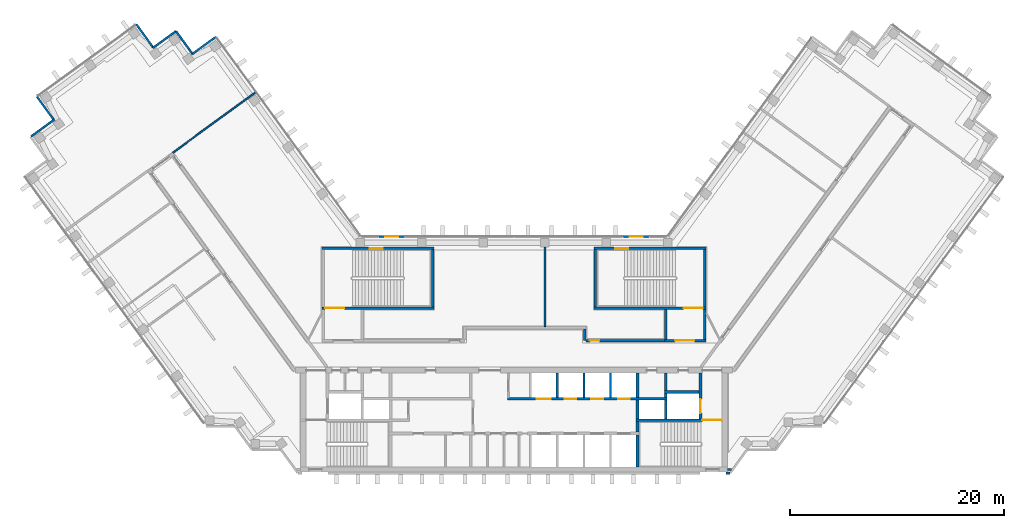
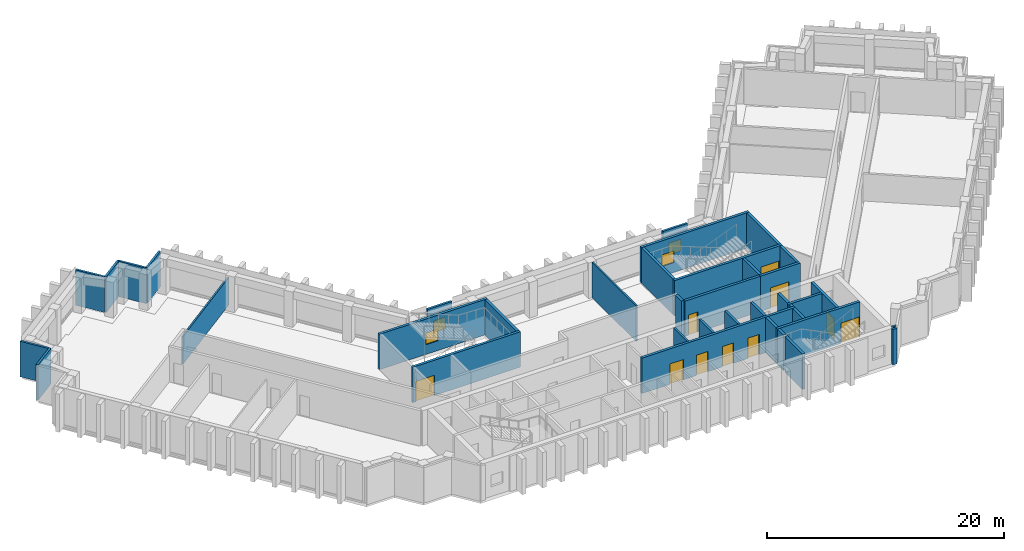
# One storey, part 6 of 10: 38 walls, 10 doors, 4 windows, 14 openings.
"""IFC4 building model written with IfcOpenShell, lengths in metres."""

from ifc_helpers import new_model, si_unit, direction, frame, frame_2d, origin, place, context, subcontext, project, spatial, rectangle, extrude, material, layer, layer_set, type_object, element, fill, save


model = new_model("IFC4")

# Units and contexts
model_context = context("Model", 3, precision=1e-05, world=origin(), true_north=direction((0.0, 1.0)))
body_context = subcontext(model_context, "Body", "Model", "MODEL_VIEW")
ifc_project = project(units=[si_unit("LENGTHUNIT", "METRE"), si_unit("AREAUNIT", "SQUARE_METRE"), si_unit("VOLUMEUNIT", "CUBIC_METRE"), si_unit("PLANEANGLEUNIT", "RADIAN"), si_unit("MASSUNIT", "GRAM", prefix="KILO")], contexts=[model_context])

# Site, building, storey
site_placement = place(None, origin())
site = spatial("IfcSite", under=ifc_project, at=site_placement, CompositionType="ELEMENT")
building_placement = place(site_placement, origin())
building = spatial("IfcBuilding", under=site, at=building_placement, Name="Quipu Civic Tower", CompositionType="ELEMENT")
storey_placement = place(building_placement, frame((0.0, 0.0, 168.0)))
storey = spatial("IfcBuildingStorey", under=building, at=storey_placement, Name="L39", CompositionType="ELEMENT", Elevation=168.0)

# Walls
ifc_material_1 = material(Name="Double gypsum plasterboard with mineral wool")
ifc_layer_1 = layer(ifc_material_1, 0.14990234375)
ifc_layer_set_1 = layer_set([ifc_layer_1], Name="Double gypsum plasterboard with mineral wool")
wall_type_1 = type_object("IfcWallType", Name="Acoustic partition 150 plasterboard", PredefinedType="PARTITIONING", material=ifc_layer_set_1)
wall_1_placement = place(storey_placement, frame((-31.97998046875, 18.922119140625, 0.0), z_axis=(0.0, 0.0, 1.0), x_axis=(0.807588329082, 0.589746632657, 0.0)))
element("IfcWall", 1, at=wall_1_placement, inside=storey, type_object=wall_type_1, Name="Partition P01", PredefinedType="PARTITIONING", context=body_context, shape_type="SweptSolid", body=[
    extrude(rectangle(XDim=9.56982421875, YDim=0.14990234375, at=frame_2d((4.784912109375, 0.0))), origin(), (0.0, 0.0, 1.0), 2.85009765625),
])
wall_2_placement = place(storey_placement, frame((2.89892578125, 10.094970703125, 0.0), z_axis=(0.0, 0.0, 1.0), x_axis=(0.0, -1.0, 0.0)))
element("IfcWall", 2, at=wall_2_placement, inside=storey, type_object=wall_type_1, Name="Partition P03", PredefinedType="PARTITIONING", context=body_context, shape_type="SweptSolid", body=[
    extrude(rectangle(XDim=7.445068359375, YDim=0.14990234375, at=frame_2d((3.72265625, 0.0))), origin(), (0.0, 0.0, 1.0), 3.64990234375),
])
ifc_material_2 = material(Name="Concrete C70/85", Category="concrete")
ifc_layer_2 = layer(ifc_material_2, 0.25)
ifc_layer_set_2 = layer_set([ifc_layer_2], Name="Concrete C70/85")
wall_type_2 = type_object("IfcWallType", Name="Core wall 250", PredefinedType="SHEAR", material=ifc_layer_set_2)
wall_3_placement = place(storey_placement, frame((11.574951171875, -10.5, 0.0), z_axis=(0.0, 0.0, 1.0), x_axis=(0.0, 1.0, 0.0)))
element("IfcWall", 3, at=wall_3_placement, inside=storey, type_object=wall_type_2, Name="Core wall", PredefinedType="SHEAR", context=body_context, shape_type="SweptSolid", body=[
    extrude(rectangle(XDim=3.0, YDim=0.25, at=frame_2d((1.5, 0.0))), origin(), (0.0, 0.0, 1.0), 3.64990234375),
])
wall_4_placement = place(storey_placement, frame((11.574951171875, -7.25, 0.0), z_axis=(0.0, 0.0, 1.0), x_axis=(0.0, 1.0, 0.0)))
element("IfcWall", 4, at=wall_4_placement, inside=storey, type_object=wall_type_2, Name="Core wall", PredefinedType="SHEAR", context=body_context, shape_type="SweptSolid", body=[
    extrude(rectangle(XDim=1.0, YDim=0.25, at=frame_2d((0.5, 0.0))), origin(), (0.0, 0.0, 1.0), 3.64990234375),
])

# Wall, opening, door
wall_5_placement = place(storey_placement, frame((19.5, -6.125, 0.0), z_axis=(0.0, 0.0, 1.0), x_axis=(-1.0, 0.0, 0.0)))
wall_5 = element("IfcWall", 5, at=wall_5_placement, inside=storey, type_object=wall_type_2, Name="Core wall", PredefinedType="SHEAR", context=body_context, shape_type="SweptSolid", body=[
    extrude(rectangle(XDim=8.050048828125, YDim=0.25, at=frame_2d((4.02490234375, 0.0))), origin(), (0.0, 0.0, 1.0), 3.64990234375),
])
opening_1_placement = place(wall_5_placement, frame((0.050048828125, 0.0, 0.0)))
opening_1 = element("IfcOpeningElement", 6, at=opening_1_placement, cuts=wall_5, Name="Opening CD-08", PredefinedType="OPENING", context=body_context, shape_type="SweptSolid", body=[
    extrude(rectangle(XDim=1.800048828125, YDim=2.10009765625, at=frame_2d((0.89990234375, 1.050048828125))), frame((0.0, 0.135009765625, 0.0), z_axis=(0.0, -1.0, 0.0), x_axis=(1.0, 0.0, 0.0)), (0.0, 0.0, 1.0), 0.27001953125),
])
ifc_material_3 = material(Name="Fire rated steel door", Category="steel")
door_type_1 = type_object("IfcDoorType", Name="Fire door FD90 double 1800 x 2100", OperationType="NOTDEFINED", PredefinedType="DOOR", material=ifc_material_3)
door_1_placement = place(opening_1_placement, origin())
door_1 = element("IfcDoor", 7, at=door_1_placement, inside=storey, type_object=door_type_1, Name="Door", OperationType="DOUBLE_DOOR_SINGLE_SWING", OverallHeight=2.10009765625, OverallWidth=1.800048828125, PredefinedType="DOOR", context=body_context, shape_type="SweptSolid", body=[
    extrude(rectangle(XDim=1.800048828125, YDim=2.10009765625, at=frame_2d((0.89990234375, 1.050048828125))), frame((0.0, 0.02490234375, 0.0), z_axis=(0.0, -1.0, 0.0), x_axis=(1.0, 0.0, 0.0)), (0.0, 0.0, 1.0), 0.050048828125),
])
fill(opening_1, door_1)

# Walls
for number, where, z_axis, x_axis, name in (
    (8, (11.574951171875, -6.0, 0.0), (0.0, 0.0, 1.0), (0.0, 1.0, 0.0), "Core wall"),
    (9, (14.22509765625, -6.0, 0.0), (0.0, 0.0, 1.0), (0.0, 1.0, 0.0), "Core wall"),
):
    element("IfcWall", number, at=place(storey_placement, frame(where, z_axis=z_axis, x_axis=x_axis)), inside=storey, type_object=wall_type_2, Name=name, PredefinedType="SHEAR", context=body_context, shape_type="SweptSolid", body=[
        extrude(rectangle(XDim=1.75, YDim=0.25, at=frame_2d((0.875, 0.0))), origin(), (0.0, 0.0, 1.0), 3.64990234375),
    ])

# Wall, opening, door
wall_6_placement = place(storey_placement, frame((17.47509765625, -6.0, 0.0), z_axis=(0.0, 0.0, 1.0), x_axis=(0.0, 1.0, 0.0)))
wall_6 = element("IfcWall", 10, at=wall_6_placement, inside=storey, type_object=wall_type_2, Name="Core wall", PredefinedType="SHEAR", context=body_context, shape_type="SweptSolid", body=[
    extrude(rectangle(XDim=4.300048828125, YDim=0.25, at=frame_2d((2.14990234375, 0.0))), origin(), (0.0, 0.0, 1.0), 3.64990234375),
])
opening_2_placement = place(wall_6_placement, frame((0.550048828125, 0.0, 0.0)))
opening_2 = element("IfcOpeningElement", 11, at=opening_2_placement, cuts=wall_6, Name="Opening LD-FF2", PredefinedType="OPENING", context=body_context, shape_type="SweptSolid", body=[
    extrude(rectangle(XDim=1.300048828125, YDim=2.10009765625, at=frame_2d((0.64990234375, 1.050048828125))), frame((0.0, 0.135009765625, 0.0), z_axis=(0.0, -1.0, 0.0), x_axis=(1.0, 0.0, 0.0)), (0.0, 0.0, 1.0), 0.27001953125),
])
ifc_material_4 = material(Name="Stainless steel", Category="steel")
door_type_2 = type_object("IfcDoorType", Name="Lift landing door 1300 x 2100", OperationType="DOUBLE_DOOR_SLIDING", PredefinedType="DOOR", material=ifc_material_4)
door_2_placement = place(opening_2_placement, origin())
door_2 = element("IfcDoor", 12, at=door_2_placement, inside=storey, type_object=door_type_2, Name="Landing door FF2", OperationType="DOUBLE_DOOR_SLIDING", OverallHeight=2.10009765625, OverallWidth=1.300048828125, PredefinedType="DOOR", context=body_context, shape_type="SweptSolid", body=[
    extrude(rectangle(XDim=1.300048828125, YDim=2.10009765625, at=frame_2d((0.64990234375, 1.050048828125))), frame((0.0, 0.02490234375, 0.0), z_axis=(0.0, -1.0, 0.0), x_axis=(1.0, 0.0, 0.0)), (0.0, 0.0, 1.0), 0.050048828125),
])
fill(opening_2, door_2)

# Wall, openings, doors
wall_7_placement = place(storey_placement, frame((-0.60009765625, -4.125, 0.0), z_axis=(0.0, 0.0, 1.0), x_axis=(1.0, 0.0, 0.0)))
wall_7 = element("IfcWall", 13, at=wall_7_placement, inside=storey, type_object=wall_type_2, Name="Core wall", PredefinedType="SHEAR", context=body_context, shape_type="SweptSolid", body=[
    extrude(rectangle(XDim=14.9501953125, YDim=0.25, at=frame_2d((7.47509765625, 0.0))), origin(), (0.0, 0.0, 1.0), 3.64990234375),
])
opening_3_placement = place(wall_7_placement, frame((2.75, 0.0, 0.0)))
opening_3 = element("IfcOpeningElement", 14, at=opening_3_placement, cuts=wall_7, Name="Opening LD-FF3", PredefinedType="OPENING", context=body_context, shape_type="SweptSolid", body=[
    extrude(rectangle(XDim=1.300048828125, YDim=2.10009765625, at=frame_2d((0.64990234375, 1.050048828125))), frame((0.0, 0.135009765625, 0.0), z_axis=(0.0, -1.0, 0.0), x_axis=(1.0, 0.0, 0.0)), (0.0, 0.0, 1.0), 0.27001953125),
])
opening_4_placement = place(wall_7_placement, frame((5.35009765625, 0.0, 0.0)))
opening_4 = element("IfcOpeningElement", 15, at=opening_4_placement, cuts=wall_7, Name="Opening LD-ML5", PredefinedType="OPENING", context=body_context, shape_type="SweptSolid", body=[
    extrude(rectangle(XDim=1.10009765625, YDim=2.10009765625, at=frame_2d((0.550048828125, 1.050048828125))), frame((0.0, 0.135009765625, 0.0), z_axis=(0.0, -1.0, 0.0), x_axis=(1.0, 0.0, 0.0)), (0.0, 0.0, 1.0), 0.27001953125),
])
opening_5_placement = place(wall_7_placement, frame((7.85009765625, 0.0, 0.0)))
opening_5 = element("IfcOpeningElement", 16, at=opening_5_placement, cuts=wall_7, Name="Opening LD-ML6", PredefinedType="OPENING", context=body_context, shape_type="SweptSolid", body=[
    extrude(rectangle(XDim=1.10009765625, YDim=2.10009765625, at=frame_2d((0.550048828125, 1.050048828125))), frame((0.0, 0.135009765625, 0.0), z_axis=(0.0, -1.0, 0.0), x_axis=(1.0, 0.0, 0.0)), (0.0, 0.0, 1.0), 0.27001953125),
])
opening_6_placement = place(wall_7_placement, frame((10.35009765625, 0.0, 0.0)))
opening_6 = element("IfcOpeningElement", 17, at=opening_6_placement, cuts=wall_7, Name="Opening LD-ML7", PredefinedType="OPENING", context=body_context, shape_type="SweptSolid", body=[
    extrude(rectangle(XDim=1.10009765625, YDim=2.10009765625, at=frame_2d((0.550048828125, 1.050048828125))), frame((0.0, 0.135009765625, 0.0), z_axis=(0.0, -1.0, 0.0), x_axis=(1.0, 0.0, 0.0)), (0.0, 0.0, 1.0), 0.27001953125),
])
ifc_material_5 = material(Name="Stainless steel", Category="steel")
door_type_3 = type_object("IfcDoorType", Name="Lift landing door 1100 x 2100", OperationType="DOUBLE_DOOR_SLIDING", PredefinedType="DOOR", material=ifc_material_5)
door_3_placement = place(opening_4_placement, origin())
door_3 = element("IfcDoor", 18, at=door_3_placement, inside=storey, type_object=door_type_3, Name="Landing door ML5", OperationType="DOUBLE_DOOR_SLIDING", OverallHeight=2.10009765625, OverallWidth=1.10009765625, PredefinedType="DOOR", context=body_context, shape_type="SweptSolid", body=[
    extrude(rectangle(XDim=1.10009765625, YDim=2.10009765625, at=frame_2d((0.550048828125, 1.050048828125))), frame((0.0, 0.02490234375, 0.0), z_axis=(0.0, -1.0, 0.0), x_axis=(1.0, 0.0, 0.0)), (0.0, 0.0, 1.0), 0.050048828125),
])
fill(opening_4, door_3)
door_4_placement = place(opening_5_placement, origin())
door_4 = element("IfcDoor", 19, at=door_4_placement, inside=storey, type_object=door_type_3, Name="Landing door ML6", OperationType="DOUBLE_DOOR_SLIDING", OverallHeight=2.10009765625, OverallWidth=1.10009765625, PredefinedType="DOOR", context=body_context, shape_type="SweptSolid", body=[
    extrude(rectangle(XDim=1.10009765625, YDim=2.10009765625, at=frame_2d((0.550048828125, 1.050048828125))), frame((0.0, 0.02490234375, 0.0), z_axis=(0.0, -1.0, 0.0), x_axis=(1.0, 0.0, 0.0)), (0.0, 0.0, 1.0), 0.050048828125),
])
fill(opening_5, door_4)
door_5_placement = place(opening_6_placement, origin())
door_5 = element("IfcDoor", 20, at=door_5_placement, inside=storey, type_object=door_type_3, Name="Landing door ML7", OperationType="DOUBLE_DOOR_SLIDING", OverallHeight=2.10009765625, OverallWidth=1.10009765625, PredefinedType="DOOR", context=body_context, shape_type="SweptSolid", body=[
    extrude(rectangle(XDim=1.10009765625, YDim=2.10009765625, at=frame_2d((0.550048828125, 1.050048828125))), frame((0.0, 0.02490234375, 0.0), z_axis=(0.0, -1.0, 0.0), x_axis=(1.0, 0.0, 0.0)), (0.0, 0.0, 1.0), 0.050048828125),
])
fill(opening_6, door_5)
door_6_placement = place(opening_3_placement, origin())
door_6 = element("IfcDoor", 21, at=door_6_placement, inside=storey, type_object=door_type_2, Name="Landing door FF3", OperationType="DOUBLE_DOOR_SLIDING", OverallHeight=2.10009765625, OverallWidth=1.300048828125, PredefinedType="DOOR", context=body_context, shape_type="SweptSolid", body=[
    extrude(rectangle(XDim=1.300048828125, YDim=2.10009765625, at=frame_2d((0.64990234375, 1.050048828125))), frame((0.0, 0.02490234375, 0.0), z_axis=(0.0, -1.0, 0.0), x_axis=(1.0, 0.0, 0.0)), (0.0, 0.0, 1.0), 0.050048828125),
])
fill(opening_3, door_6)

# Walls
wall_8_placement = place(storey_placement, frame((11.574951171875, -4.0, 0.0), z_axis=(0.0, 0.0, 1.0), x_axis=(0.0, 1.0, 0.0)))
element("IfcWall", 22, at=wall_8_placement, inside=storey, type_object=wall_type_2, Name="Core wall", PredefinedType="SHEAR", context=body_context, shape_type="SweptSolid", body=[
    extrude(rectangle(XDim=2.300048828125, YDim=0.25, at=frame_2d((1.14990234375, 0.0))), origin(), (0.0, 0.0, 1.0), 3.64990234375),
])
wall_9_placement = place(storey_placement, frame((14.22509765625, -4.0, 0.0), z_axis=(0.0, 0.0, 1.0), x_axis=(0.0, 1.0, 0.0)))
element("IfcWall", 23, at=wall_9_placement, inside=storey, type_object=wall_type_2, Name="Core wall", PredefinedType="SHEAR", context=body_context, shape_type="SweptSolid", body=[
    extrude(rectangle(XDim=0.39990234375, YDim=0.25, at=frame_2d((0.199951171875, 0.0))), origin(), (0.0, 0.0, 1.0), 3.64990234375),
])
wall_10_placement = place(storey_placement, frame((14.10009765625, -3.47509765625, 0.0), z_axis=(0.0, 0.0, 1.0), x_axis=(1.0, 0.0, 0.0)))
element("IfcWall", 24, at=wall_10_placement, inside=storey, type_object=wall_type_2, Name="Core wall", PredefinedType="SHEAR", context=body_context, shape_type="SweptSolid", body=[
    extrude(rectangle(XDim=3.25, YDim=0.25, at=frame_2d((1.625, 0.0))), origin(), (0.0, 0.0, 1.0), 3.64990234375),
])
wall_11_placement = place(storey_placement, frame((14.22509765625, -3.35009765625, 0.0), z_axis=(0.0, 0.0, 1.0), x_axis=(0.0, 1.0, 0.0)))
element("IfcWall", 25, at=wall_11_placement, inside=storey, type_object=wall_type_2, Name="Core wall", PredefinedType="SHEAR", context=body_context, shape_type="SweptSolid", body=[
    extrude(rectangle(XDim=1.650146484375, YDim=0.25, at=frame_2d((0.8251953125, 0.0))), origin(), (0.0, 0.0, 1.0), 3.64990234375),
])

# Wall, opening, door
wall_12_placement = place(storey_placement, frame((-18.0, 4.375, 0.0), z_axis=(0.0, 0.0, 1.0), x_axis=(1.0, 0.0, 0.0)))
wall_12 = element("IfcWall", 26, at=wall_12_placement, inside=storey, type_object=wall_type_2, Name="Core wall", PredefinedType="SHEAR", context=body_context, shape_type="SweptSolid", body=[
    extrude(rectangle(XDim=10.5, YDim=0.25, at=frame_2d((5.25, 0.0))), origin(), (0.0, 0.0, 1.0), 3.64990234375),
])
opening_7_placement = place(wall_12_placement, frame((0.300048828125, 0.0, 0.0)))
opening_7 = element("IfcOpeningElement", 27, at=opening_7_placement, cuts=wall_12, Name="Opening CD-22", PredefinedType="OPENING", context=body_context, shape_type="SweptSolid", body=[
    extrude(rectangle(XDim=1.800048828125, YDim=2.10009765625, at=frame_2d((0.89990234375, 1.050048828125))), frame((0.0, 0.135009765625, 0.0), z_axis=(0.0, -1.0, 0.0), x_axis=(1.0, 0.0, 0.0)), (0.0, 0.0, 1.0), 0.27001953125),
])
door_7_placement = place(opening_7_placement, origin())
door_7 = element("IfcDoor", 28, at=door_7_placement, inside=storey, type_object=door_type_1, Name="Door", OperationType="DOUBLE_DOOR_SINGLE_SWING", OverallHeight=2.10009765625, OverallWidth=1.800048828125, PredefinedType="DOOR", context=body_context, shape_type="SweptSolid", body=[
    extrude(rectangle(XDim=1.800048828125, YDim=2.10009765625, at=frame_2d((0.89990234375, 1.050048828125))), frame((0.0, 0.02490234375, 0.0), z_axis=(0.0, -1.0, 0.0), x_axis=(1.0, 0.0, 0.0)), (0.0, 0.0, 1.0), 0.050048828125),
])
fill(opening_7, door_7)

# Wall
wall_13_placement = place(storey_placement, frame((-7.625, 4.5, 0.0), z_axis=(0.0, 0.0, 1.0), x_axis=(0.0, 1.0, 0.0)))
element("IfcWall", 29, at=wall_13_placement, inside=storey, type_object=wall_type_2, Name="Core wall", PredefinedType="SHEAR", context=body_context, shape_type="SweptSolid", body=[
    extrude(rectangle(XDim=5.35009765625, YDim=0.25, at=frame_2d((2.675048828125, 0.0))), origin(), (0.0, 0.0, 1.0), 3.64990234375),
])

# Wall, opening, window
wall_14_placement = place(storey_placement, frame((-18.0, 9.97509765625, 0.0), z_axis=(0.0, 0.0, 1.0), x_axis=(1.0, 0.0, 0.0)))
wall_14 = element("IfcWall", 30, at=wall_14_placement, inside=storey, type_object=wall_type_2, Name="Core wall", PredefinedType="SHEAR", context=body_context, shape_type="SweptSolid", body=[
    extrude(rectangle(XDim=10.5, YDim=0.25, at=frame_2d((5.25, 0.0))), origin(), (0.0, 0.0, 1.0), 3.64990234375),
])
opening_8_placement = place(wall_14_placement, frame((4.5, 0.0, 1.0)))
opening_8 = element("IfcOpeningElement", 31, at=opening_8_placement, cuts=wall_14, Name="Opening SV-3", PredefinedType="OPENING", context=body_context, shape_type="SweptSolid", body=[
    extrude(rectangle(XDim=1.199951171875, YDim=1.199951171875, at=frame_2d((0.60009765625, 0.60009765625))), frame((0.0, 0.135009765625, 0.0), z_axis=(0.0, -1.0, 0.0), x_axis=(1.0, 0.0, 0.0)), (0.0, 0.0, 1.0), 0.27001953125),
])
ifc_material_6 = material(Name="Aluminium louvre", Category="aluminium")
window_type_1 = type_object("IfcWindowType", Name="Stair ventilation louvre 1200 x 1200", PartitioningType="SINGLE_PANEL", PredefinedType="WINDOW", material=ifc_material_6)
window_1_placement = place(opening_8_placement, origin())
window_1 = element("IfcWindow", 32, at=window_1_placement, inside=storey, type_object=window_type_1, Name="Stair ventilation opening", OverallHeight=1.199951171875, OverallWidth=1.199951171875, PartitioningType="SINGLE_PANEL", PredefinedType="WINDOW", context=body_context, shape_type="SweptSolid", body=[
    extrude(rectangle(XDim=1.199951171875, YDim=1.199951171875, at=frame_2d((0.60009765625, 0.60009765625))), frame((0.0, 0.030029296875, 0.0), z_axis=(0.0, -1.0, 0.0), x_axis=(1.0, 0.0, 0.0)), (0.0, 0.0, 1.0), 0.06005859375),
])
fill(opening_8, window_1)

# Wall, opening, door
wall_15_placement = place(storey_placement, frame((14.10009765625, 1.324951171875, 0.0), z_axis=(0.0, 0.0, 1.0), x_axis=(1.0, 0.0, 0.0)))
wall_15 = element("IfcWall", 33, at=wall_15_placement, inside=storey, type_object=wall_type_2, Name="Core wall", PredefinedType="SHEAR", context=body_context, shape_type="SweptSolid", body=[
    extrude(rectangle(XDim=3.89990234375, YDim=0.25, at=frame_2d((1.949951171875, 0.0))), origin(), (0.0, 0.0, 1.0), 3.64990234375),
])
opening_9_placement = place(wall_15_placement, frame((1.0, 0.0, 0.0)))
opening_9 = element("IfcOpeningElement", 34, at=opening_9_placement, cuts=wall_15, Name="Opening CD-23", PredefinedType="OPENING", context=body_context, shape_type="SweptSolid", body=[
    extrude(rectangle(XDim=1.800048828125, YDim=2.10009765625, at=frame_2d((0.89990234375, 1.050048828125))), frame((0.0, 0.135009765625, 0.0), z_axis=(0.0, -1.0, 0.0), x_axis=(1.0, 0.0, 0.0)), (0.0, 0.0, 1.0), 0.27001953125),
])
door_8_placement = place(opening_9_placement, origin())
door_8 = element("IfcDoor", 35, at=door_8_placement, inside=storey, type_object=door_type_1, Name="Lobby door", OperationType="DOUBLE_DOOR_SINGLE_SWING", OverallHeight=2.10009765625, OverallWidth=1.800048828125, PredefinedType="DOOR", context=body_context, shape_type="SweptSolid", body=[
    extrude(rectangle(XDim=1.800048828125, YDim=2.10009765625, at=frame_2d((0.89990234375, 1.050048828125))), frame((0.0, 0.02490234375, 0.0), z_axis=(0.0, -1.0, 0.0), x_axis=(1.0, 0.0, 0.0)), (0.0, 0.0, 1.0), 0.050048828125),
])
fill(opening_9, door_8)

# Walls
for number, where, z_axis, x_axis, name in (
    (36, (14.22509765625, 1.449951171875, 0.0), (0.0, 0.0, 1.0), (0.0, 1.0, 0.0), "Core wall"),
    (37, (17.875, 1.449951171875, 0.0), (0.0, 0.0, 1.0), (0.0, 1.0, 0.0), "Core wall"),
):
    element("IfcWall", number, at=place(storey_placement, frame(where, z_axis=z_axis, x_axis=x_axis)), inside=storey, type_object=wall_type_2, Name=name, PredefinedType="SHEAR", context=body_context, shape_type="SweptSolid", body=[
        extrude(rectangle(XDim=2.800048828125, YDim=0.25, at=frame_2d((1.39990234375, 0.0))), origin(), (0.0, 0.0, 1.0), 3.64990234375),
    ])

# Wall, opening, door
wall_16_placement = place(storey_placement, frame((7.5, 4.375, 0.0), z_axis=(0.0, 0.0, 1.0), x_axis=(1.0, 0.0, 0.0)))
wall_16 = element("IfcWall", 38, at=wall_16_placement, inside=storey, type_object=wall_type_2, Name="Core wall", PredefinedType="SHEAR", context=body_context, shape_type="SweptSolid", body=[
    extrude(rectangle(XDim=10.5, YDim=0.25, at=frame_2d((5.25, 0.0))), origin(), (0.0, 0.0, 1.0), 3.64990234375),
])
opening_10_placement = place(wall_16_placement, frame((8.39990234375, 0.0, 0.0)))
opening_10 = element("IfcOpeningElement", 39, at=opening_10_placement, cuts=wall_16, Name="Opening CD-24", PredefinedType="OPENING", context=body_context, shape_type="SweptSolid", body=[
    extrude(rectangle(XDim=1.800048828125, YDim=2.10009765625, at=frame_2d((0.89990234375, 1.050048828125))), frame((0.0, 0.135009765625, 0.0), z_axis=(0.0, -1.0, 0.0), x_axis=(1.0, 0.0, 0.0)), (0.0, 0.0, 1.0), 0.27001953125),
])
door_9_placement = place(opening_10_placement, origin())
door_9 = element("IfcDoor", 40, at=door_9_placement, inside=storey, type_object=door_type_1, Name="Door", OperationType="DOUBLE_DOOR_SINGLE_SWING", OverallHeight=2.10009765625, OverallWidth=1.800048828125, PredefinedType="DOOR", context=body_context, shape_type="SweptSolid", body=[
    extrude(rectangle(XDim=1.800048828125, YDim=2.10009765625, at=frame_2d((0.89990234375, 1.050048828125))), frame((0.0, 0.02490234375, 0.0), z_axis=(0.0, -1.0, 0.0), x_axis=(1.0, 0.0, 0.0)), (0.0, 0.0, 1.0), 0.050048828125),
])
fill(opening_10, door_9)

# Walls
for number, where, z_axis, x_axis, name in (
    (41, (7.625, 4.5, 0.0), (0.0, 0.0, 1.0), (0.0, 1.0, 0.0), "Core wall"),
    (42, (17.875, 4.5, 0.0), (0.0, 0.0, 1.0), (0.0, 1.0, 0.0), "Core wall"),
):
    element("IfcWall", number, at=place(storey_placement, frame(where, z_axis=z_axis, x_axis=x_axis)), inside=storey, type_object=wall_type_2, Name=name, PredefinedType="SHEAR", context=body_context, shape_type="SweptSolid", body=[
        extrude(rectangle(XDim=5.35009765625, YDim=0.25, at=frame_2d((2.675048828125, 0.0))), origin(), (0.0, 0.0, 1.0), 3.64990234375),
    ])

# Wall, opening, window
wall_17_placement = place(storey_placement, frame((7.5, 9.97509765625, 0.0), z_axis=(0.0, 0.0, 1.0), x_axis=(1.0, 0.0, 0.0)))
wall_17 = element("IfcWall", 43, at=wall_17_placement, inside=storey, type_object=wall_type_2, Name="Core wall", PredefinedType="SHEAR", context=body_context, shape_type="SweptSolid", body=[
    extrude(rectangle(XDim=10.5, YDim=0.25, at=frame_2d((5.25, 0.0))), origin(), (0.0, 0.0, 1.0), 3.64990234375),
])
opening_11_placement = place(wall_17_placement, frame((2.0, 0.0, 1.0)))
opening_11 = element("IfcOpeningElement", 44, at=opening_11_placement, cuts=wall_17, Name="Opening SV-4", PredefinedType="OPENING", context=body_context, shape_type="SweptSolid", body=[
    extrude(rectangle(XDim=1.199951171875, YDim=1.199951171875, at=frame_2d((0.60009765625, 0.60009765625))), frame((0.0, 0.135009765625, 0.0), z_axis=(0.0, -1.0, 0.0), x_axis=(1.0, 0.0, 0.0)), (0.0, 0.0, 1.0), 0.27001953125),
])
window_2_placement = place(opening_11_placement, origin())
window_2 = element("IfcWindow", 45, at=window_2_placement, inside=storey, type_object=window_type_1, Name="Stair ventilation opening", OverallHeight=1.199951171875, OverallWidth=1.199951171875, PartitioningType="SINGLE_PANEL", PredefinedType="WINDOW", context=body_context, shape_type="SweptSolid", body=[
    extrude(rectangle(XDim=1.199951171875, YDim=1.199951171875, at=frame_2d((0.60009765625, 0.60009765625))), frame((0.0, 0.030029296875, 0.0), z_axis=(0.0, -1.0, 0.0), x_axis=(1.0, 0.0, 0.0)), (0.0, 0.0, 1.0), 0.06005859375),
])
fill(opening_11, window_2)

# Wall
ifc_material_7 = material(Name="Concrete C50/60", Category="concrete")
ifc_layer_3 = layer(ifc_material_7, 0.25)
ifc_layer_set_3 = layer_set([ifc_layer_3], Name="Concrete C50/60")
wall_type_3 = type_object("IfcWallType", Name="Corridor wall 250 concrete", PredefinedType="SOLIDWALL", material=ifc_layer_set_3)
wall_18_placement = place(storey_placement, frame((6.625, 2.39990234375, 0.0), z_axis=(0.0, 0.0, 1.0), x_axis=(0.0, -1.0, 0.0)))
element("IfcWall", 46, at=wall_18_placement, inside=storey, type_object=wall_type_3, Name="Corridor wall C10", PredefinedType="SOLIDWALL", context=body_context, shape_type="SweptSolid", body=[
    extrude(rectangle(XDim=1.041259765625, YDim=0.25, at=frame_2d((0.5205078125, 0.0))), origin(), (0.0, 0.0, 1.0), 3.64990234375),
])

# Wall, opening, door
wall_19_placement = place(storey_placement, frame((6.753662109375, 1.324951171875, 0.0), z_axis=(0.0, 0.0, 1.0), x_axis=(1.0, 0.0, 0.0)))
wall_19 = element("IfcWall", 47, at=wall_19_placement, inside=storey, type_object=wall_type_3, Name="Corridor wall C11", PredefinedType="SOLIDWALL", context=body_context, shape_type="SweptSolid", body=[
    extrude(rectangle(XDim=7.33642578125, YDim=0.25, at=frame_2d((3.668212890625, 0.0))), origin(), (0.0, 0.0, 1.0), 3.64990234375),
])
opening_12_placement = place(wall_19_placement, frame((0.34619140625, 0.0, 0.0)))
opening_12 = element("IfcOpeningElement", 48, at=opening_12_placement, cuts=wall_19, Name="Opening D008", PredefinedType="OPENING", context=body_context, shape_type="SweptSolid", body=[
    extrude(rectangle(XDim=0.89990234375, YDim=2.10009765625, at=frame_2d((0.449951171875, 1.050048828125))), frame((0.0, 0.135009765625, 0.0), z_axis=(0.0, -1.0, 0.0), x_axis=(1.0, 0.0, 0.0)), (0.0, 0.0, 1.0), 0.27001953125),
])
ifc_material_8 = material(Name="Fire rated timber door set with metal frame", Category="wood")
door_type_4 = type_object("IfcDoorType", Name="Single door 900 x 2100 FD60", OperationType="NOTDEFINED", PredefinedType="DOOR", material=ifc_material_8)
door_10_placement = place(opening_12_placement, origin())
door_10 = element("IfcDoor", 49, at=door_10_placement, inside=storey, type_object=door_type_4, Name="Door D008", OperationType="SINGLE_SWING_LEFT", OverallHeight=2.10009765625, OverallWidth=0.89990234375, PredefinedType="DOOR", context=body_context, shape_type="SweptSolid", body=[
    extrude(rectangle(XDim=0.89990234375, YDim=2.10009765625, at=frame_2d((0.449951171875, 1.050048828125))), frame((0.0, 0.02490234375, 0.0), z_axis=(0.0, -1.0, 0.0), x_axis=(1.0, 0.0, 0.0)), (0.0, 0.0, 1.0), 0.050048828125),
])
fill(opening_12, door_10)

# Walls
ifc_material_9 = material(Name="Precast concrete C40/50", Category="concrete")
wall_type_4 = type_object("IfcWallType", Name="Precast cladding wall", PredefinedType="SOLIDWALL", material=ifc_material_9)
for number, where, z_axis, x_axis, name in (
    (50, (-43.060791015625, 22.04296875, 0.0), (0.0, 0.0, 1.0), (-0.809033161865, -0.587762999008, 0.0), "Precast cladding wall L39 P01"),
    (51, (-27.92138671875, 29.787109375, 0.0), (0.0, 0.0, 1.0), (-0.809033161865, -0.587762999008, 0.0), "Precast cladding wall L39 2"),
    (52, (-30.08349609375, 28.149169921875, 0.0), (0.0, 0.0, 1.0), (-0.587762999008, 0.809033161865, 0.0), "Precast cladding wall L39 3"),
    (53, (-31.653564453125, 30.330810546875, 0.0), (0.0, 0.0, 1.0), (-0.809033161865, -0.587762999008, 0.0), "Precast cladding wall L39 4"),
    (54, (-33.80078125, 28.785888671875, 0.0), (0.0, 0.0, 1.0), (-0.587762999008, 0.809033161865, 0.0), "Precast cladding wall L39 5"),
    (55, (-44.699462890625, 24.20458984375, 0.0), (0.0, 0.0, 1.0), (0.587762999008, -0.809033161865, 0.0), "Precast cladding wall L39 7"),
):
    element("IfcWall", number, at=place(storey_placement, frame(where, z_axis=z_axis, x_axis=x_axis)), inside=storey, type_object=wall_type_4, Name=name, PredefinedType="SOLIDWALL", context=body_context, shape_type="SweptSolid", body=[
        extrude(rectangle(XDim=2.699951171875, YDim=0.199951171875, at=frame_2d((1.35009765625, 0.0))), origin(), (0.0, 0.0, 1.0), 3.64990234375),
    ])
wall_20_placement = place(storey_placement, frame((19.85009765625, -11.087890625, 0.0), z_axis=(0.0, 0.0, 1.0), x_axis=(1.0, 0.0, 0.0)))
element("IfcWall", 56, at=wall_20_placement, inside=storey, type_object=wall_type_4, Name="Precast cladding wall L39 15", PredefinedType="SOLIDWALL", context=body_context, shape_type="SweptSolid", body=[
    extrude(rectangle(XDim=0.40576171875, YDim=0.199951171875, at=frame_2d((0.202880859375, 0.0))), origin(), (0.0, 0.0, 1.0), 3.64990234375),
])

# Wall, opening, window
wall_21_placement = place(storey_placement, frame((12.655029296875, 11.10009765625, 0.0), z_axis=(0.0, 0.0, 1.0), x_axis=(-1.0, 0.0, 0.0)))
wall_21 = element("IfcWall", 57, at=wall_21_placement, inside=storey, type_object=wall_type_4, Name="Vent surround SF-L39-2", PredefinedType="SOLIDWALL", context=body_context, shape_type="SweptSolid", body=[
    extrude(rectangle(XDim=2.3916015625, YDim=0.199951171875, at=frame_2d((1.19580078125, 0.0))), origin(), (0.0, 0.0, 1.0), 3.64990234375),
])
opening_13_placement = place(wall_21_placement, frame((0.595703125, 0.0, 1.0)))
opening_13 = element("IfcOpeningElement", 58, at=opening_13_placement, cuts=wall_21, Name="Opening SF-L39-2", PredefinedType="OPENING", context=body_context, shape_type="SweptSolid", body=[
    extrude(rectangle(XDim=1.199951171875, YDim=1.199951171875, at=frame_2d((0.60009765625, 0.60009765625))), frame((0.0, 0.10986328125, 0.0), z_axis=(0.0, -1.0, 0.0), x_axis=(1.0, 0.0, 0.0)), (0.0, 0.0, 1.0), 0.219970703125),
])
ifc_material_10 = material(Name="Anodised aluminium louvre", Category="aluminium")
window_type_2 = type_object("IfcWindowType", Name="Stair vent louvre window P3", PartitioningType="SINGLE_PANEL", PredefinedType="WINDOW", material=ifc_material_10)
window_3_placement = place(opening_13_placement, origin())
window_3 = element("IfcWindow", 59, at=window_3_placement, inside=storey, type_object=window_type_2, Name="Stair vent louvre SF-L39-2", OverallHeight=1.199951171875, OverallWidth=1.199951171875, PartitioningType="SINGLE_PANEL", PredefinedType="WINDOW", context=body_context, shape_type="SweptSolid", body=[
    extrude(rectangle(XDim=1.199951171875, YDim=1.199951171875, at=frame_2d((0.60009765625, 0.60009765625))), frame((0.0, 0.030029296875, 0.0), z_axis=(0.0, -1.0, 0.0), x_axis=(1.0, 0.0, 0.0)), (0.0, 0.0, 1.0), 0.06005859375),
])
fill(opening_13, window_3)

wall_22_placement = place(storey_placement, frame((-10.263427734375, 11.10009765625, 0.0), z_axis=(0.0, 0.0, 1.0), x_axis=(-1.0, 0.0, 0.0)))
wall_22 = element("IfcWall", 60, at=wall_22_placement, inside=storey, type_object=wall_type_4, Name="Vent surround SF-L39-1", PredefinedType="SOLIDWALL", context=body_context, shape_type="SweptSolid", body=[
    extrude(rectangle(XDim=2.3916015625, YDim=0.199951171875, at=frame_2d((1.19580078125, 0.0))), origin(), (0.0, 0.0, 1.0), 3.64990234375),
])
opening_14_placement = place(wall_22_placement, frame((0.595703125, 0.0, 1.0)))
opening_14 = element("IfcOpeningElement", 61, at=opening_14_placement, cuts=wall_22, Name="Opening SF-L39-1", PredefinedType="OPENING", context=body_context, shape_type="SweptSolid", body=[
    extrude(rectangle(XDim=1.199951171875, YDim=1.199951171875, at=frame_2d((0.60009765625, 0.60009765625))), frame((0.0, 0.10986328125, 0.0), z_axis=(0.0, -1.0, 0.0), x_axis=(1.0, 0.0, 0.0)), (0.0, 0.0, 1.0), 0.219970703125),
])
window_4_placement = place(opening_14_placement, origin())
window_4 = element("IfcWindow", 62, at=window_4_placement, inside=storey, type_object=window_type_2, Name="Stair vent louvre SF-L39-1", OverallHeight=1.199951171875, OverallWidth=1.199951171875, PartitioningType="SINGLE_PANEL", PredefinedType="WINDOW", context=body_context, shape_type="SweptSolid", body=[
    extrude(rectangle(XDim=1.199951171875, YDim=1.199951171875, at=frame_2d((0.60009765625, 0.60009765625))), frame((0.0, 0.030029296875, 0.0), z_axis=(0.0, -1.0, 0.0), x_axis=(1.0, 0.0, 0.0)), (0.0, 0.0, 1.0), 0.06005859375),
])
fill(opening_14, window_4)

# Walls
wall_23_placement = place(storey_placement, frame((19.97998046875, -10.75, 0.0), z_axis=(0.0, 0.0, 1.0), x_axis=(1.0, 0.0, 0.0)))
element("IfcWall", 63, at=wall_23_placement, inside=storey, type_object=wall_type_4, Name="Precast cladding return L39 E", PredefinedType="SOLIDWALL", context=body_context, shape_type="SweptSolid", body=[
    extrude(rectangle(XDim=0.41650390625, YDim=0.199951171875, at=frame_2d((0.208251953125, 0.0))), origin(), (0.0, 0.0, 1.0), 3.64990234375),
])
ifc_material_11 = material(Name="Concrete C40/50", Category="concrete")
ifc_layer_4 = layer(ifc_material_11, 0.199951171875)
ifc_layer_set_4 = layer_set([ifc_layer_4], Name="Concrete C40/50")
wall_type_5 = type_object("IfcWallType", Name="Shaft wall 200", PredefinedType="SOLIDWALL", material=ifc_layer_set_4)
for number, where, z_axis, x_axis, name in (
    (64, (4.050048828125, -4.0, 0.0), (0.0, 0.0, 1.0), (0.0, 1.0, 0.0), "Shaft wall"),
    (65, (6.550048828125, -4.0, 0.0), (0.0, 0.0, 1.0), (0.0, 1.0, 0.0), "Shaft wall"),
    (66, (9.050048828125, -4.0, 0.0), (0.0, 0.0, 1.0), (0.0, 1.0, 0.0), "Shaft wall"),
):
    element("IfcWall", number, at=place(storey_placement, frame(where, z_axis=z_axis, x_axis=x_axis)), inside=storey, type_object=wall_type_5, Name=name, PredefinedType="SOLIDWALL", context=body_context, shape_type="SweptSolid", body=[
        extrude(rectangle(XDim=2.300048828125, YDim=0.199951171875, at=frame_2d((1.14990234375, 0.0))), origin(), (0.0, 0.0, 1.0), 3.64990234375),
    ])

save(model, "model.ifc")
